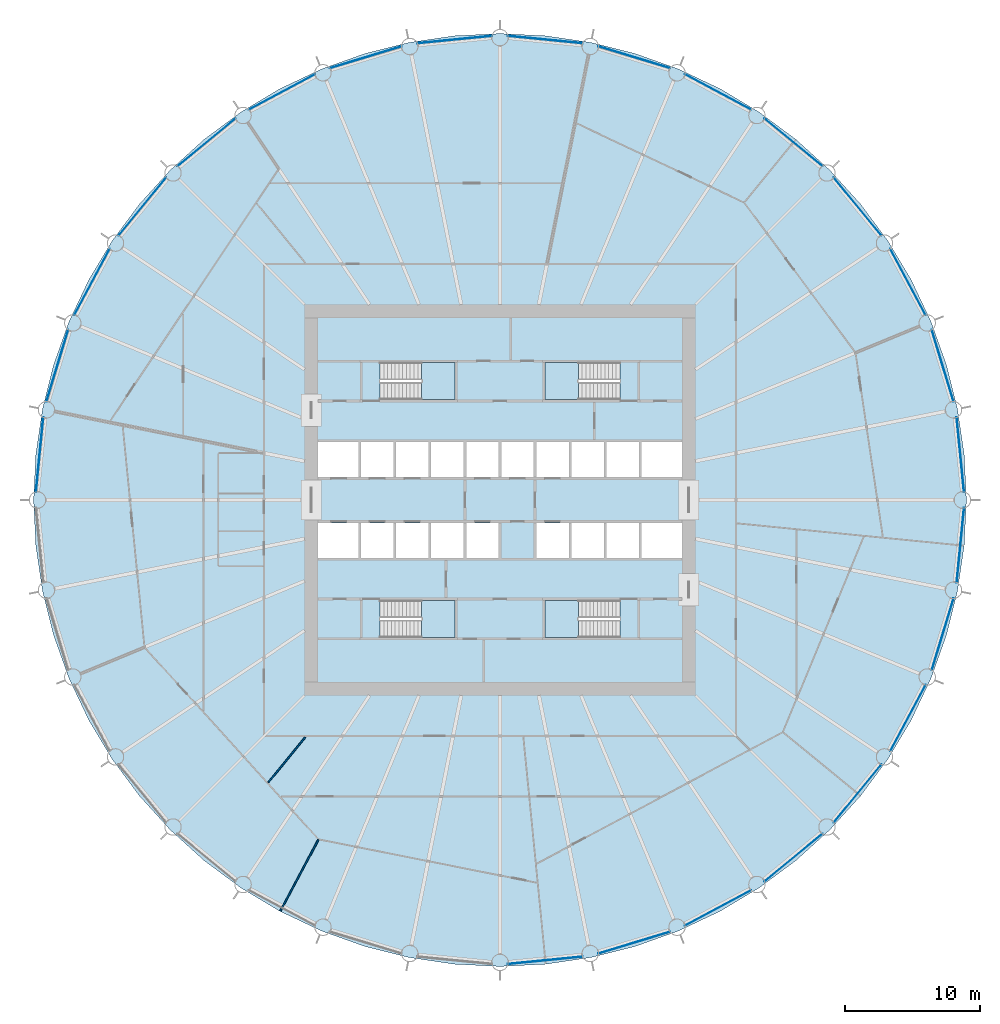
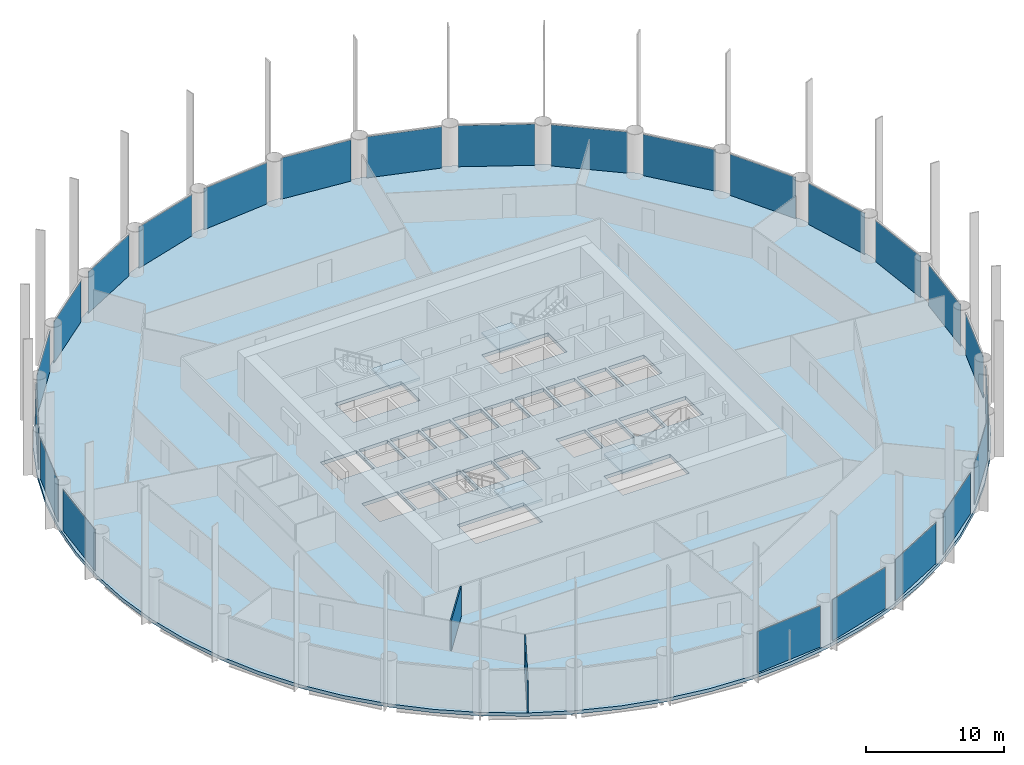
# One storey, part 3 of 10: 24 plates, 5 slabs, 2 walls, 28 elements without a shape of their own.
"""IFC4 building model written with IfcOpenShell, lengths in metres."""

from ifc_helpers import new_model, si_unit, direction, frame, frame_2d, origin, origin_2d, place, context, subcontext, project, spatial, polyline, rectangle, outline, extrude, material, layer, layer_set, type_object, element, aggregate, save


model = new_model("IFC4")

# Units and contexts
model_context = context("Model", 3, precision=1e-05, world=origin(), true_north=direction((0.0, 1.0)))
body_context = subcontext(model_context, "Body", "Model", "MODEL_VIEW")
ifc_project = project(units=[si_unit("LENGTHUNIT", "METRE"), si_unit("AREAUNIT", "SQUARE_METRE"), si_unit("VOLUMEUNIT", "CUBIC_METRE"), si_unit("PLANEANGLEUNIT", "RADIAN"), si_unit("MASSUNIT", "GRAM", prefix="KILO")], contexts=[model_context])

# Site, building, storey
site_placement = place(None, origin())
site = spatial("IfcSite", under=ifc_project, at=site_placement, CompositionType="ELEMENT")
building_placement = place(site_placement, origin())
building = spatial("IfcBuilding", under=site, at=building_placement, Name="Corvane Civic Tower", CompositionType="ELEMENT")
storey_placement = place(building_placement, frame((0.0, 0.0, 106.5)))
storey = spatial("IfcBuildingStorey", under=building, at=storey_placement, Name="L24", CompositionType="ELEMENT", Elevation=106.5)

# Slab
ifc_material_1 = material(Name="Concrete C40/50", Category="concrete")
ifc_layer_1 = layer(ifc_material_1, 0.300048828125)
ifc_layer_set_1 = layer_set([ifc_layer_1], Name="Concrete C40/50")
slab_type_1 = type_object("IfcSlabType", Name="FLOOR SLAB 300", PredefinedType="FLOOR", material=ifc_layer_set_1)
slab_1_placement = place(storey_placement, frame((0.0, 0.0, -0.300048828125)))
element("IfcSlab", 1, at=slab_1_placement, inside=storey, type_object=slab_type_1, Name="SLB-L24", PredefinedType="FLOOR", context=body_context, shape_type="SweptSolid", body=[
    extrude(outline(polyline([(0.0, 34.60009765625), (-3.391357421875, 34.433349609375), (-6.750244140625, 33.93505859375), (-10.0439453125, 33.110107421875), (-13.240966796875, 31.96630859375), (-16.310302734375, 30.514404296875), (-19.22265625, 28.768798828125), (-21.949951171875, 26.74609375), (-24.4658203125, 24.4658203125), (-26.74609375, 21.949951171875), (-28.768798828125, 19.22265625), (-30.514404296875, 16.310302734375), (-31.96630859375, 13.240966796875), (-33.110107421875, 10.0439453125), (-33.93505859375, 6.750244140625), (-34.433349609375, 3.391357421875), (-34.60009765625, 0.0), (-34.433349609375, -3.391357421875), (-33.93505859375, -6.750244140625), (-33.110107421875, -10.0439453125), (-31.96630859375, -13.240966796875), (-30.514404296875, -16.310302734375), (-28.768798828125, -19.22265625), (-26.74609375, -21.949951171875), (-24.4658203125, -24.4658203125), (-21.949951171875, -26.74609375), (-19.22265625, -28.768798828125), (-16.310302734375, -30.514404296875), (-13.240966796875, -31.96630859375), (-10.0439453125, -33.110107421875), (-6.750244140625, -33.93505859375), (-3.391357421875, -34.433349609375), (0.0, -34.60009765625), (3.391357421875, -34.433349609375), (6.750244140625, -33.93505859375), (10.0439453125, -33.110107421875), (13.240966796875, -31.96630859375), (16.310302734375, -30.514404296875), (19.22265625, -28.768798828125), (21.949951171875, -26.74609375), (24.4658203125, -24.4658203125), (26.74609375, -21.949951171875), (28.768798828125, -19.22265625), (30.514404296875, -16.310302734375), (31.96630859375, -13.240966796875), (33.110107421875, -10.0439453125), (33.93505859375, -6.750244140625), (34.433349609375, -3.391357421875), (34.60009765625, 0.0), (34.433349609375, 3.391357421875), (33.93505859375, 6.750244140625), (33.110107421875, 10.0439453125), (31.96630859375, 13.240966796875), (30.514404296875, 16.310302734375), (28.768798828125, 19.22265625), (26.74609375, 21.949951171875), (24.4658203125, 24.4658203125), (21.949951171875, 26.74609375), (19.22265625, 28.768798828125), (16.310302734375, 30.514404296875), (13.240966796875, 31.96630859375), (10.0439453125, 33.110107421875), (6.750244140625, 33.93505859375), (3.391357421875, 34.433349609375), (0.0, 34.60009765625)]), holes=[polyline([(-13.5, 4.300048828125), (-10.5, 4.300048828125), (-10.5, 1.699951171875), (-13.5, 1.699951171875), (-13.5, 4.300048828125)]), polyline([(-7.89990234375, 1.699951171875), (-10.300048828125, 1.699951171875), (-10.300048828125, 4.300048828125), (-7.89990234375, 4.300048828125), (-7.89990234375, 1.699951171875)]), polyline([(-7.699951171875, 4.300048828125), (-5.300048828125, 4.300048828125), (-5.300048828125, 1.699951171875), (-7.699951171875, 1.699951171875), (-7.699951171875, 4.300048828125)]), polyline([(-5.10009765625, 4.300048828125), (-2.699951171875, 4.300048828125), (-2.699951171875, 1.699951171875), (-5.10009765625, 1.699951171875), (-5.10009765625, 4.300048828125)]), polyline([(-2.5, 4.300048828125), (-0.10009765625, 4.300048828125), (-0.10009765625, 1.699951171875), (-2.5, 1.699951171875), (-2.5, 4.300048828125)]), polyline([(2.5, 1.699951171875), (0.10009765625, 1.699951171875), (0.10009765625, 4.300048828125), (2.5, 4.300048828125), (2.5, 1.699951171875)]), polyline([(5.10009765625, 1.699951171875), (2.699951171875, 1.699951171875), (2.699951171875, 4.300048828125), (5.10009765625, 4.300048828125), (5.10009765625, 1.699951171875)]), polyline([(5.300048828125, 4.300048828125), (7.699951171875, 4.300048828125), (7.699951171875, 1.699951171875), (5.300048828125, 1.699951171875), (5.300048828125, 4.300048828125)]), polyline([(7.89990234375, 4.300048828125), (10.300048828125, 4.300048828125), (10.300048828125, 1.699951171875), (7.89990234375, 1.699951171875), (7.89990234375, 4.300048828125)]), polyline([(13.5, 1.699951171875), (10.5, 1.699951171875), (10.5, 4.300048828125), (13.5, 4.300048828125), (13.5, 1.699951171875)]), polyline([(-13.5, -1.699951171875), (-10.5, -1.699951171875), (-10.5, -4.300048828125), (-13.5, -4.300048828125), (-13.5, -1.699951171875)]), polyline([(-10.300048828125, -1.699951171875), (-7.89990234375, -1.699951171875), (-7.89990234375, -4.300048828125), (-10.300048828125, -4.300048828125), (-10.300048828125, -1.699951171875)]), polyline([(-7.699951171875, -1.699951171875), (-5.300048828125, -1.699951171875), (-5.300048828125, -4.300048828125), (-7.699951171875, -4.300048828125), (-7.699951171875, -1.699951171875)]), polyline([(-5.10009765625, -1.699951171875), (-2.699951171875, -1.699951171875), (-2.699951171875, -4.300048828125), (-5.10009765625, -4.300048828125), (-5.10009765625, -1.699951171875)]), polyline([(-2.5, -1.699951171875), (-0.10009765625, -1.699951171875), (-0.10009765625, -4.300048828125), (-2.5, -4.300048828125), (-2.5, -1.699951171875)]), polyline([(2.699951171875, -1.699951171875), (5.10009765625, -1.699951171875), (5.10009765625, -4.300048828125), (2.699951171875, -4.300048828125), (2.699951171875, -1.699951171875)]), polyline([(5.300048828125, -4.300048828125), (5.300048828125, -1.699951171875), (7.699951171875, -1.699951171875), (7.699951171875, -4.300048828125), (5.300048828125, -4.300048828125)]), polyline([(7.89990234375, -4.300048828125), (7.89990234375, -1.699951171875), (10.300048828125, -1.699951171875), (10.300048828125, -4.300048828125), (7.89990234375, -4.300048828125)]), polyline([(13.5, -4.300048828125), (10.5, -4.300048828125), (10.5, -1.699951171875), (13.5, -1.699951171875), (13.5, -4.300048828125)]), polyline([(8.889892578125, 10.199951171875), (8.889892578125, 7.449951171875), (3.35009765625, 7.449951171875), (3.35009765625, 10.199951171875), (8.889892578125, 10.199951171875)]), polyline([(-8.889892578125, 7.449951171875), (-8.889892578125, 10.199951171875), (-3.35009765625, 10.199951171875), (-3.35009765625, 7.449951171875), (-8.889892578125, 7.449951171875)]), polyline([(8.889892578125, -7.449951171875), (8.889892578125, -10.199951171875), (3.35009765625, -10.199951171875), (3.35009765625, -7.449951171875), (8.889892578125, -7.449951171875)]), polyline([(-8.889892578125, -10.199951171875), (-8.889892578125, -7.449951171875), (-3.35009765625, -7.449951171875), (-3.35009765625, -10.199951171875), (-8.889892578125, -10.199951171875)])]), origin(), (0.0, 0.0, 1.0), 0.300048828125),
])

# Stair, slab
ifc_material_2 = material(Name="Concrete C40/50", Category="concrete")
stair_type = type_object("IfcStairType", Name="ST-STAIR-HALFTURN", PredefinedType="HALF_TURN_STAIR", material=ifc_material_2)
stair_1_placement = place(storey_placement, origin())
stair_1 = element("IfcStair", 2, at=stair_1_placement, inside=storey, type_object=stair_type, Name="L24 Exit stair ST1", PredefinedType="HALF_TURN_STAIR")
ifc_material_3 = material(Name="Concrete C40/50", Category="concrete")
ifc_layer_2 = layer(ifc_material_3, 0.199951171875)
ifc_layer_set_2 = layer_set([ifc_layer_2], Name="Concrete C40/50")
slab_type_2 = type_object("IfcSlabType", Name="ST-LANDING-RC", PredefinedType="LANDING", material=ifc_layer_set_2)
slab_2_placement = place(storey_placement, frame((0.0, 0.0, 1.800048828125)))
slab_2 = element("IfcSlab", 3, at=slab_2_placement, type_object=slab_type_2, Name="ST1 landing 1", PredefinedType="LANDING", context=body_context, shape_type="SweptSolid", body=[
    extrude(outline(polyline([(5.820068359375, 10.199951171875), (3.35009765625, 10.199951171875), (3.35009765625, 7.449951171875), (5.820068359375, 7.449951171875), (5.820068359375, 10.199951171875)])), origin(), (0.0, 0.0, 1.0), 0.199951171875),
])
aggregate(stair_1, [slab_2])

stair_2_placement = place(storey_placement, origin())
stair_2 = element("IfcStair", 4, at=stair_2_placement, inside=storey, type_object=stair_type, Name="L24 Exit stair ST2", PredefinedType="HALF_TURN_STAIR")
slab_3_placement = place(storey_placement, frame((0.0, 0.0, 1.800048828125)))
slab_3 = element("IfcSlab", 5, at=slab_3_placement, type_object=slab_type_2, Name="ST2 landing 1", PredefinedType="LANDING", context=body_context, shape_type="SweptSolid", body=[
    extrude(outline(polyline([(5.820068359375, -7.449951171875), (3.35009765625, -7.449951171875), (3.35009765625, -10.199951171875), (5.820068359375, -10.199951171875), (5.820068359375, -7.449951171875)])), origin(), (0.0, 0.0, 1.0), 0.199951171875),
])
aggregate(stair_2, [slab_3])

stair_3_placement = place(storey_placement, origin())
stair_3 = element("IfcStair", 6, at=stair_3_placement, inside=storey, type_object=stair_type, Name="L24 Exit stair ST3", PredefinedType="HALF_TURN_STAIR")
slab_4_placement = place(storey_placement, frame((0.0, 0.0, 1.800048828125)))
slab_4 = element("IfcSlab", 7, at=slab_4_placement, type_object=slab_type_2, Name="ST3 landing 1", PredefinedType="LANDING", context=body_context, shape_type="SweptSolid", body=[
    extrude(outline(polyline([(-5.820068359375, -10.199951171875), (-3.35009765625, -10.199951171875), (-3.35009765625, -7.449951171875), (-5.820068359375, -7.449951171875), (-5.820068359375, -10.199951171875)])), origin(), (0.0, 0.0, 1.0), 0.199951171875),
])
aggregate(stair_3, [slab_4])

stair_4_placement = place(storey_placement, origin())
stair_4 = element("IfcStair", 8, at=stair_4_placement, inside=storey, type_object=stair_type, Name="L24 Exit stair ST4", PredefinedType="HALF_TURN_STAIR")
slab_5_placement = place(storey_placement, frame((0.0, 0.0, 1.800048828125)))
slab_5 = element("IfcSlab", 9, at=slab_5_placement, type_object=slab_type_2, Name="ST4 landing 1", PredefinedType="LANDING", context=body_context, shape_type="SweptSolid", body=[
    extrude(outline(polyline([(-5.820068359375, 7.449951171875), (-3.35009765625, 7.449951171875), (-3.35009765625, 10.199951171875), (-5.820068359375, 10.199951171875), (-5.820068359375, 7.449951171875)])), origin(), (0.0, 0.0, 1.0), 0.199951171875),
])
aggregate(stair_4, [slab_5])

# Curtain wall, plate
ifc_material_4 = material(Name="Anodised aluminium bronze", Category="aluminium")
curtain_wall_type = type_object("IfcCurtainWallType", Name="TOWER CW-T1 STICK CURTAIN WALL", PredefinedType="NOTDEFINED", material=ifc_material_4)
curtain_wall_1_placement = place(storey_placement, origin())
curtain_wall_1 = element("IfcCurtainWall", 10, at=curtain_wall_1_placement, inside=storey, type_object=curtain_wall_type, Name="Curtain wall CW-T1 L24 bay 01", PredefinedType="NOTDEFINED")
ifc_material_5 = material(Name="Tinted glass", Category="glass")
ifc_layer_3 = layer(ifc_material_5, 0.035888671875)
ifc_layer_set_3 = layer_set([ifc_layer_3], Name="Tinted glass")
plate_type = type_object("IfcPlateType", Name="TOWER CW-T1 PANEL IGU36", PredefinedType="CURTAIN_PANEL", material=ifc_layer_set_3)
plate_1_placement = place(storey_placement, frame((3.36328125, 34.148681640625, 0.0), z_axis=(0.0, 0.0, 1.0), x_axis=(0.995183788169, -0.098026668644, 0.0)))
plate_1 = element("IfcPlate", 11, at=plate_1_placement, type_object=plate_type, Name="Glass panel CW-T1 L24 01.1", PredefinedType="CURTAIN_PANEL", context=body_context, shape_type="SweptSolid", body=[
    extrude(rectangle(XDim=5.58642578125, YDim=0.035888671875, at=origin_2d()), origin(), (0.0, 0.0, 1.0), 3.6298828125),
])
aggregate(curtain_wall_1, [plate_1])

curtain_wall_2_placement = place(storey_placement, origin())
curtain_wall_2 = element("IfcCurtainWall", 12, at=curtain_wall_2_placement, inside=storey, type_object=curtain_wall_type, Name="Curtain wall CW-T1 L24 bay 02", PredefinedType="NOTDEFINED")
plate_2_placement = place(storey_placement, frame((9.9609375, 32.83642578125, 0.0), z_axis=(0.0, 0.0, 1.0), x_axis=(0.956945991488, -0.290266032073, 0.0)))
plate_2 = element("IfcPlate", 13, at=plate_2_placement, type_object=plate_type, Name="Glass panel CW-T1 L24 02.1", PredefinedType="CURTAIN_PANEL", context=body_context, shape_type="SweptSolid", body=[
    extrude(rectangle(XDim=5.58642578125, YDim=0.035888671875, at=origin_2d()), origin(), (0.0, 0.0, 1.0), 3.6298828125),
])
aggregate(curtain_wall_2, [plate_2])

curtain_wall_3_placement = place(storey_placement, origin())
curtain_wall_3 = element("IfcCurtainWall", 14, at=curtain_wall_3_placement, inside=storey, type_object=curtain_wall_type, Name="Curtain wall CW-T1 L24 bay 03", PredefinedType="NOTDEFINED")
plate_3_placement = place(storey_placement, frame((16.175537109375, 30.26220703125, 0.0), z_axis=(0.0, 0.0, 1.0), x_axis=(0.881923642976, -0.471392286699, 0.0)))
plate_3 = element("IfcPlate", 15, at=plate_3_placement, type_object=plate_type, Name="Glass panel CW-T1 L24 03.1", PredefinedType="CURTAIN_PANEL", context=body_context, shape_type="SweptSolid", body=[
    extrude(rectangle(XDim=5.586669921875, YDim=0.035888671875, at=origin_2d()), origin(), (0.0, 0.0, 1.0), 3.6298828125),
])
aggregate(curtain_wall_3, [plate_3])

curtain_wall_4_placement = place(storey_placement, origin())
curtain_wall_4 = element("IfcCurtainWall", 16, at=curtain_wall_4_placement, inside=storey, type_object=curtain_wall_type, Name="Curtain wall CW-T1 L24 bay 04", PredefinedType="NOTDEFINED")
plate_4_placement = place(storey_placement, frame((21.7685546875, 26.525146484375, 0.0), z_axis=(0.0, 0.0, 1.0), x_axis=(0.773013419843, -0.63438966948, 0.0)))
plate_4 = element("IfcPlate", 17, at=plate_4_placement, type_object=plate_type, Name="Glass panel CW-T1 L24 04.1", PredefinedType="CURTAIN_PANEL", context=body_context, shape_type="SweptSolid", body=[
    extrude(rectangle(XDim=5.58642578125, YDim=0.035888671875, at=origin_2d()), origin(), (0.0, 0.0, 1.0), 3.6298828125),
])
aggregate(curtain_wall_4, [plate_4])

curtain_wall_5_placement = place(storey_placement, origin())
curtain_wall_5 = element("IfcCurtainWall", 18, at=curtain_wall_5_placement, inside=storey, type_object=curtain_wall_type, Name="Curtain wall CW-T1 L24 bay 05", PredefinedType="NOTDEFINED")
plate_5_placement = place(storey_placement, frame((26.525146484375, 21.7685546875, 0.0), z_axis=(0.0, 0.0, 1.0), x_axis=(0.63438966948, -0.773013419843, 0.0)))
plate_5 = element("IfcPlate", 19, at=plate_5_placement, type_object=plate_type, Name="Glass panel CW-T1 L24 05.1", PredefinedType="CURTAIN_PANEL", context=body_context, shape_type="SweptSolid", body=[
    extrude(rectangle(XDim=5.58642578125, YDim=0.035888671875, at=origin_2d()), origin(), (0.0, 0.0, 1.0), 3.6298828125),
])
aggregate(curtain_wall_5, [plate_5])

curtain_wall_6_placement = place(storey_placement, origin())
curtain_wall_6 = element("IfcCurtainWall", 20, at=curtain_wall_6_placement, inside=storey, type_object=curtain_wall_type, Name="Curtain wall CW-T1 L24 bay 06", PredefinedType="NOTDEFINED")
plate_6_placement = place(storey_placement, frame((30.26220703125, 16.175537109375, 0.0), z_axis=(0.0, 0.0, 1.0), x_axis=(0.471392286699, -0.881923642976, 0.0)))
plate_6 = element("IfcPlate", 21, at=plate_6_placement, type_object=plate_type, Name="Glass panel CW-T1 L24 06.1", PredefinedType="CURTAIN_PANEL", context=body_context, shape_type="SweptSolid", body=[
    extrude(rectangle(XDim=5.586669921875, YDim=0.035888671875, at=origin_2d()), origin(), (0.0, 0.0, 1.0), 3.6298828125),
])
aggregate(curtain_wall_6, [plate_6])

curtain_wall_7_placement = place(storey_placement, origin())
curtain_wall_7 = element("IfcCurtainWall", 22, at=curtain_wall_7_placement, inside=storey, type_object=curtain_wall_type, Name="Curtain wall CW-T1 L24 bay 07", PredefinedType="NOTDEFINED")
plate_7_placement = place(storey_placement, frame((32.83642578125, 9.9609375, 0.0), z_axis=(0.0, 0.0, 1.0), x_axis=(0.290266032073, -0.956945991488, 0.0)))
plate_7 = element("IfcPlate", 23, at=plate_7_placement, type_object=plate_type, Name="Glass panel CW-T1 L24 07.1", PredefinedType="CURTAIN_PANEL", context=body_context, shape_type="SweptSolid", body=[
    extrude(rectangle(XDim=5.58642578125, YDim=0.035888671875, at=origin_2d()), origin(), (0.0, 0.0, 1.0), 3.6298828125),
])
aggregate(curtain_wall_7, [plate_7])

curtain_wall_8_placement = place(storey_placement, origin())
curtain_wall_8 = element("IfcCurtainWall", 24, at=curtain_wall_8_placement, inside=storey, type_object=curtain_wall_type, Name="Curtain wall CW-T1 L24 bay 08", PredefinedType="NOTDEFINED")
plate_8_placement = place(storey_placement, frame((34.148681640625, 3.36328125, 0.0), z_axis=(0.0, 0.0, 1.0), x_axis=(0.098026668644, -0.995183788169, 0.0)))
plate_8 = element("IfcPlate", 25, at=plate_8_placement, type_object=plate_type, Name="Glass panel CW-T1 L24 08.1", PredefinedType="CURTAIN_PANEL", context=body_context, shape_type="SweptSolid", body=[
    extrude(rectangle(XDim=5.58642578125, YDim=0.035888671875, at=origin_2d()), origin(), (0.0, 0.0, 1.0), 3.6298828125),
])
aggregate(curtain_wall_8, [plate_8])

curtain_wall_9_placement = place(storey_placement, origin())
curtain_wall_9 = element("IfcCurtainWall", 26, at=curtain_wall_9_placement, inside=storey, type_object=curtain_wall_type, Name="Curtain wall CW-T1 L24 bay 09", PredefinedType="NOTDEFINED")
plate_9_placement = place(storey_placement, frame((34.148681640625, -3.36328125, 0.0), z_axis=(0.0, 0.0, 1.0), x_axis=(-0.098026668644, -0.995183788169, 0.0)))
plate_9 = element("IfcPlate", 27, at=plate_9_placement, type_object=plate_type, Name="Glass panel CW-T1 L24 09.1", PredefinedType="CURTAIN_PANEL", context=body_context, shape_type="SweptSolid", body=[
    extrude(rectangle(XDim=5.58642578125, YDim=0.035888671875, at=origin_2d()), origin(), (0.0, 0.0, 1.0), 3.6298828125),
])
aggregate(curtain_wall_9, [plate_9])

curtain_wall_10_placement = place(storey_placement, origin())
curtain_wall_10 = element("IfcCurtainWall", 28, at=curtain_wall_10_placement, inside=storey, type_object=curtain_wall_type, Name="Curtain wall CW-T1 L24 bay 10", PredefinedType="NOTDEFINED")
plate_10_placement = place(storey_placement, frame((32.83642578125, -9.9609375, 0.0), z_axis=(0.0, 0.0, 1.0), x_axis=(-0.290266032073, -0.956945991488, 0.0)))
plate_10 = element("IfcPlate", 29, at=plate_10_placement, type_object=plate_type, Name="Glass panel CW-T1 L24 10.1", PredefinedType="CURTAIN_PANEL", context=body_context, shape_type="SweptSolid", body=[
    extrude(rectangle(XDim=5.58642578125, YDim=0.035888671875, at=origin_2d()), origin(), (0.0, 0.0, 1.0), 3.6298828125),
])
aggregate(curtain_wall_10, [plate_10])

curtain_wall_11_placement = place(storey_placement, origin())
curtain_wall_11 = element("IfcCurtainWall", 30, at=curtain_wall_11_placement, inside=storey, type_object=curtain_wall_type, Name="Curtain wall CW-T1 L24 bay 11", PredefinedType="NOTDEFINED")
plate_11_placement = place(storey_placement, frame((30.26220703125, -16.175537109375, 0.0), z_axis=(0.0, 0.0, 1.0), x_axis=(-0.471392286699, -0.881923642976, 0.0)))
plate_11 = element("IfcPlate", 31, at=plate_11_placement, type_object=plate_type, Name="Glass panel CW-T1 L24 11.1", PredefinedType="CURTAIN_PANEL", context=body_context, shape_type="SweptSolid", body=[
    extrude(rectangle(XDim=5.586669921875, YDim=0.035888671875, at=origin_2d()), origin(), (0.0, 0.0, 1.0), 3.6298828125),
])
aggregate(curtain_wall_11, [plate_11])

curtain_wall_12_placement = place(storey_placement, origin())
curtain_wall_12 = element("IfcCurtainWall", 32, at=curtain_wall_12_placement, inside=storey, type_object=curtain_wall_type, Name="Curtain wall CW-T1 L24 bay 12", PredefinedType="NOTDEFINED")
plate_12_placement = place(storey_placement, frame((26.525146484375, -21.7685546875, 0.0), z_axis=(0.0, 0.0, 1.0), x_axis=(-0.63438966948, -0.773013419843, 0.0)))
plate_12 = element("IfcPlate", 33, at=plate_12_placement, type_object=plate_type, Name="Glass panel CW-T1 L24 12.1", PredefinedType="CURTAIN_PANEL", context=body_context, shape_type="SweptSolid", body=[
    extrude(rectangle(XDim=5.58642578125, YDim=0.035888671875, at=origin_2d()), origin(), (0.0, 0.0, 1.0), 3.6298828125),
])
aggregate(curtain_wall_12, [plate_12])

curtain_wall_13_placement = place(storey_placement, origin())
curtain_wall_13 = element("IfcCurtainWall", 34, at=curtain_wall_13_placement, inside=storey, type_object=curtain_wall_type, Name="Curtain wall CW-T1 L24 bay 13", PredefinedType="NOTDEFINED")
plate_13_placement = place(storey_placement, frame((21.7685546875, -26.525146484375, 0.0), z_axis=(0.0, 0.0, 1.0), x_axis=(-0.773013419843, -0.63438966948, 0.0)))
plate_13 = element("IfcPlate", 35, at=plate_13_placement, type_object=plate_type, Name="Glass panel CW-T1 L24 13.1", PredefinedType="CURTAIN_PANEL", context=body_context, shape_type="SweptSolid", body=[
    extrude(rectangle(XDim=5.58642578125, YDim=0.035888671875, at=origin_2d()), origin(), (0.0, 0.0, 1.0), 3.6298828125),
])
aggregate(curtain_wall_13, [plate_13])

curtain_wall_14_placement = place(storey_placement, origin())
curtain_wall_14 = element("IfcCurtainWall", 36, at=curtain_wall_14_placement, inside=storey, type_object=curtain_wall_type, Name="Curtain wall CW-T1 L24 bay 14", PredefinedType="NOTDEFINED")
plate_14_placement = place(storey_placement, frame((16.175537109375, -30.26220703125, 0.0), z_axis=(0.0, 0.0, 1.0), x_axis=(-0.881923642976, -0.471392286699, 0.0)))
plate_14 = element("IfcPlate", 37, at=plate_14_placement, type_object=plate_type, Name="Glass panel CW-T1 L24 14.1", PredefinedType="CURTAIN_PANEL", context=body_context, shape_type="SweptSolid", body=[
    extrude(rectangle(XDim=5.586669921875, YDim=0.035888671875, at=origin_2d()), origin(), (0.0, 0.0, 1.0), 3.6298828125),
])
aggregate(curtain_wall_14, [plate_14])

curtain_wall_15_placement = place(storey_placement, origin())
curtain_wall_15 = element("IfcCurtainWall", 38, at=curtain_wall_15_placement, inside=storey, type_object=curtain_wall_type, Name="Curtain wall CW-T1 L24 bay 15", PredefinedType="NOTDEFINED")
plate_15_placement = place(storey_placement, frame((9.9609375, -32.83642578125, 0.0), z_axis=(0.0, 0.0, 1.0), x_axis=(-0.956945991488, -0.290266032073, 0.0)))
plate_15 = element("IfcPlate", 39, at=plate_15_placement, type_object=plate_type, Name="Glass panel CW-T1 L24 15.1", PredefinedType="CURTAIN_PANEL", context=body_context, shape_type="SweptSolid", body=[
    extrude(rectangle(XDim=5.58642578125, YDim=0.035888671875, at=origin_2d()), origin(), (0.0, 0.0, 1.0), 3.6298828125),
])
aggregate(curtain_wall_15, [plate_15])

curtain_wall_16_placement = place(storey_placement, origin())
curtain_wall_16 = element("IfcCurtainWall", 40, at=curtain_wall_16_placement, inside=storey, type_object=curtain_wall_type, Name="Curtain wall CW-T1 L24 bay 16", PredefinedType="NOTDEFINED")
plate_16_placement = place(storey_placement, frame((3.36328125, -34.148681640625, 0.0), z_axis=(0.0, 0.0, 1.0), x_axis=(-0.995183788169, -0.098026668644, 0.0)))
plate_16 = element("IfcPlate", 41, at=plate_16_placement, type_object=plate_type, Name="Glass panel CW-T1 L24 16.1", PredefinedType="CURTAIN_PANEL", context=body_context, shape_type="SweptSolid", body=[
    extrude(rectangle(XDim=5.58642578125, YDim=0.035888671875, at=origin_2d()), origin(), (0.0, 0.0, 1.0), 3.6298828125),
])
aggregate(curtain_wall_16, [plate_16])

curtain_wall_17_placement = place(storey_placement, origin())
curtain_wall_17 = element("IfcCurtainWall", 42, at=curtain_wall_17_placement, inside=storey, type_object=curtain_wall_type, Name="Curtain wall CW-T1 L24 bay 25", PredefinedType="NOTDEFINED")
plate_17_placement = place(storey_placement, frame((-34.148681640625, 3.36328125, 0.0), z_axis=(0.0, 0.0, 1.0), x_axis=(0.098026668644, 0.995183788169, 0.0)))
plate_17 = element("IfcPlate", 43, at=plate_17_placement, type_object=plate_type, Name="Glass panel CW-T1 L24 25.1", PredefinedType="CURTAIN_PANEL", context=body_context, shape_type="SweptSolid", body=[
    extrude(rectangle(XDim=5.58642578125, YDim=0.035888671875, at=origin_2d()), origin(), (0.0, 0.0, 1.0), 3.6298828125),
])
aggregate(curtain_wall_17, [plate_17])

curtain_wall_18_placement = place(storey_placement, origin())
curtain_wall_18 = element("IfcCurtainWall", 44, at=curtain_wall_18_placement, inside=storey, type_object=curtain_wall_type, Name="Curtain wall CW-T1 L24 bay 26", PredefinedType="NOTDEFINED")
plate_18_placement = place(storey_placement, frame((-32.83642578125, 9.9609375, 0.0), z_axis=(0.0, 0.0, 1.0), x_axis=(0.290266032073, 0.956945991488, 0.0)))
plate_18 = element("IfcPlate", 45, at=plate_18_placement, type_object=plate_type, Name="Glass panel CW-T1 L24 26.1", PredefinedType="CURTAIN_PANEL", context=body_context, shape_type="SweptSolid", body=[
    extrude(rectangle(XDim=5.58642578125, YDim=0.035888671875, at=origin_2d()), origin(), (0.0, 0.0, 1.0), 3.6298828125),
])
aggregate(curtain_wall_18, [plate_18])

curtain_wall_19_placement = place(storey_placement, origin())
curtain_wall_19 = element("IfcCurtainWall", 46, at=curtain_wall_19_placement, inside=storey, type_object=curtain_wall_type, Name="Curtain wall CW-T1 L24 bay 27", PredefinedType="NOTDEFINED")
plate_19_placement = place(storey_placement, frame((-30.26220703125, 16.175537109375, 0.0), z_axis=(0.0, 0.0, 1.0), x_axis=(0.471392286699, 0.881923642976, 0.0)))
plate_19 = element("IfcPlate", 47, at=plate_19_placement, type_object=plate_type, Name="Glass panel CW-T1 L24 27.1", PredefinedType="CURTAIN_PANEL", context=body_context, shape_type="SweptSolid", body=[
    extrude(rectangle(XDim=5.586669921875, YDim=0.035888671875, at=origin_2d()), origin(), (0.0, 0.0, 1.0), 3.6298828125),
])
aggregate(curtain_wall_19, [plate_19])

curtain_wall_20_placement = place(storey_placement, origin())
curtain_wall_20 = element("IfcCurtainWall", 48, at=curtain_wall_20_placement, inside=storey, type_object=curtain_wall_type, Name="Curtain wall CW-T1 L24 bay 28", PredefinedType="NOTDEFINED")
plate_20_placement = place(storey_placement, frame((-26.525146484375, 21.7685546875, 0.0), z_axis=(0.0, 0.0, 1.0), x_axis=(0.63438966948, 0.773013419843, 0.0)))
plate_20 = element("IfcPlate", 49, at=plate_20_placement, type_object=plate_type, Name="Glass panel CW-T1 L24 28.1", PredefinedType="CURTAIN_PANEL", context=body_context, shape_type="SweptSolid", body=[
    extrude(rectangle(XDim=5.58642578125, YDim=0.035888671875, at=origin_2d()), origin(), (0.0, 0.0, 1.0), 3.6298828125),
])
aggregate(curtain_wall_20, [plate_20])

curtain_wall_21_placement = place(storey_placement, origin())
curtain_wall_21 = element("IfcCurtainWall", 50, at=curtain_wall_21_placement, inside=storey, type_object=curtain_wall_type, Name="Curtain wall CW-T1 L24 bay 29", PredefinedType="NOTDEFINED")
plate_21_placement = place(storey_placement, frame((-21.7685546875, 26.525146484375, 0.0), z_axis=(0.0, 0.0, 1.0), x_axis=(0.773013419843, 0.63438966948, 0.0)))
plate_21 = element("IfcPlate", 51, at=plate_21_placement, type_object=plate_type, Name="Glass panel CW-T1 L24 29.1", PredefinedType="CURTAIN_PANEL", context=body_context, shape_type="SweptSolid", body=[
    extrude(rectangle(XDim=5.58642578125, YDim=0.035888671875, at=origin_2d()), origin(), (0.0, 0.0, 1.0), 3.6298828125),
])
aggregate(curtain_wall_21, [plate_21])

curtain_wall_22_placement = place(storey_placement, origin())
curtain_wall_22 = element("IfcCurtainWall", 52, at=curtain_wall_22_placement, inside=storey, type_object=curtain_wall_type, Name="Curtain wall CW-T1 L24 bay 30", PredefinedType="NOTDEFINED")
plate_22_placement = place(storey_placement, frame((-16.175537109375, 30.26220703125, 0.0), z_axis=(0.0, 0.0, 1.0), x_axis=(0.881923642976, 0.471392286699, 0.0)))
plate_22 = element("IfcPlate", 53, at=plate_22_placement, type_object=plate_type, Name="Glass panel CW-T1 L24 30.1", PredefinedType="CURTAIN_PANEL", context=body_context, shape_type="SweptSolid", body=[
    extrude(rectangle(XDim=5.586669921875, YDim=0.035888671875, at=origin_2d()), origin(), (0.0, 0.0, 1.0), 3.6298828125),
])
aggregate(curtain_wall_22, [plate_22])

curtain_wall_23_placement = place(storey_placement, origin())
curtain_wall_23 = element("IfcCurtainWall", 54, at=curtain_wall_23_placement, inside=storey, type_object=curtain_wall_type, Name="Curtain wall CW-T1 L24 bay 31", PredefinedType="NOTDEFINED")
plate_23_placement = place(storey_placement, frame((-9.9609375, 32.83642578125, 0.0), z_axis=(0.0, 0.0, 1.0), x_axis=(0.956945991488, 0.290266032073, 0.0)))
plate_23 = element("IfcPlate", 55, at=plate_23_placement, type_object=plate_type, Name="Glass panel CW-T1 L24 31.1", PredefinedType="CURTAIN_PANEL", context=body_context, shape_type="SweptSolid", body=[
    extrude(rectangle(XDim=5.58642578125, YDim=0.035888671875, at=origin_2d()), origin(), (0.0, 0.0, 1.0), 3.6298828125),
])
aggregate(curtain_wall_23, [plate_23])

curtain_wall_24_placement = place(storey_placement, origin())
curtain_wall_24 = element("IfcCurtainWall", 56, at=curtain_wall_24_placement, inside=storey, type_object=curtain_wall_type, Name="Curtain wall CW-T1 L24 bay 32", PredefinedType="NOTDEFINED")
plate_24_placement = place(storey_placement, frame((-3.36328125, 34.148681640625, 0.0), z_axis=(0.0, 0.0, 1.0), x_axis=(0.995183788169, 0.098026668644, 0.0)))
plate_24 = element("IfcPlate", 57, at=plate_24_placement, type_object=plate_type, Name="Glass panel CW-T1 L24 32.1", PredefinedType="CURTAIN_PANEL", context=body_context, shape_type="SweptSolid", body=[
    extrude(rectangle(XDim=5.58642578125, YDim=0.035888671875, at=origin_2d()), origin(), (0.0, 0.0, 1.0), 3.6298828125),
])
aggregate(curtain_wall_24, [plate_24])

# Walls
ifc_material_6 = material(Name="Plasterboard")
ifc_layer_4 = layer(ifc_material_6, 0.10009765625)
ifc_layer_set_4 = layer_set([ifc_layer_4], Name="Plasterboard")
wall_type = type_object("IfcWallType", Name="Partition 100 plasterboard on studs", PredefinedType="PARTITIONING", material=ifc_layer_set_4)
wall_1_placement = place(storey_placement, frame((-16.286865234375, -30.470458984375, 0.0), z_axis=(0.0, 0.0, 1.0), x_axis=(0.471420045686, 0.881908805107, 0.0)))
element("IfcWall", 58, at=wall_1_placement, inside=storey, type_object=wall_type, Name="Partition L24.002", PredefinedType="PARTITIONING", context=body_context, shape_type="SweptSolid", body=[
    extrude(rectangle(XDim=5.97021484375, YDim=0.10009765625, at=frame_2d((2.985107421875, 0.0))), origin(), (0.0, 0.0, 1.0), 2.699951171875),
])
wall_2_placement = place(storey_placement, frame((-17.19873046875, -20.956787109375, 0.0), z_axis=(0.0, 0.0, 1.0), x_axis=(0.634381355244, 0.77302024302, 0.0)))
element("IfcWall", 59, at=wall_2_placement, inside=storey, type_object=wall_type, Name="Partition L24.009", PredefinedType="PARTITIONING", context=body_context, shape_type="SweptSolid", body=[
    extrude(rectangle(XDim=4.333740234375, YDim=0.10009765625, at=frame_2d((2.1669921875, 0.0))), origin(), (0.0, 0.0, 1.0), 2.699951171875),
])

save(model, "model.ifc")
